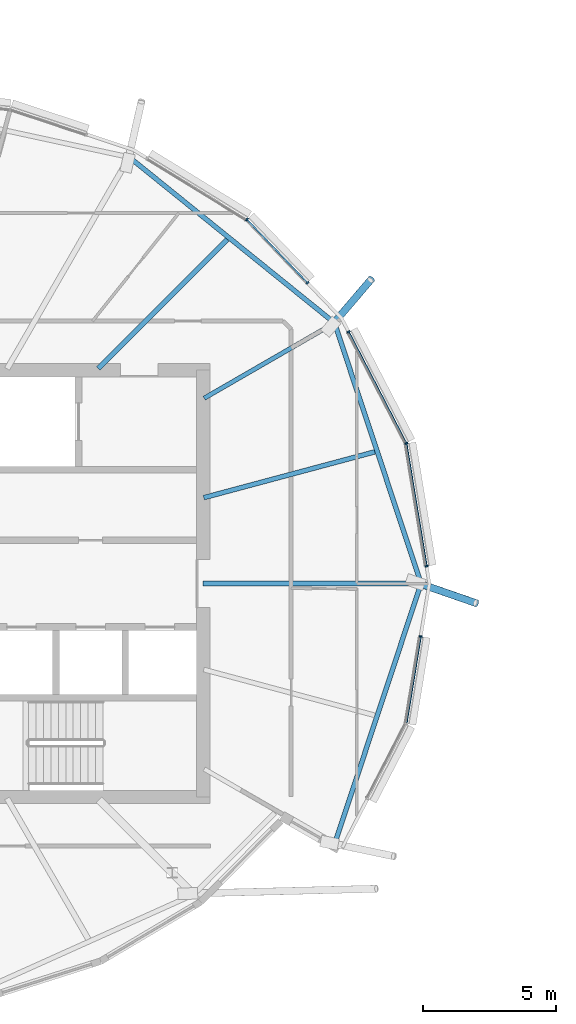
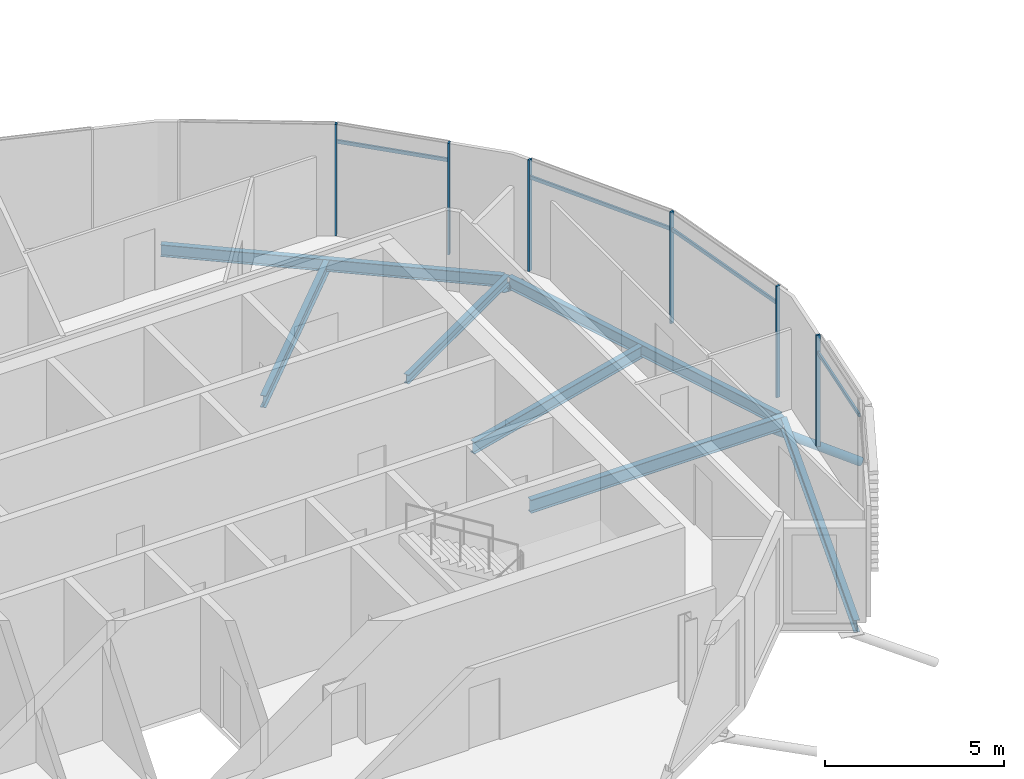
# One storey, part 7 of 33: 12 members, 7 beams, 1 element without a shape of its own.
"""IFC4 building model written with IfcOpenShell, lengths in metres."""

from ifc_helpers import new_model, si_unit, direction, frame, origin, origin_2d, place, context, subcontext, project, spatial, rectangle, hollow_circle, i_section, extrude, clip, halfspace, material, material_profile, profile_set, type_object, element, aggregate, save


model = new_model("IFC4")

# Units and contexts
model_context = context("Model", 3, precision=1e-05, world=origin(), true_north=direction((0.0, 1.0)))
body_context = subcontext(model_context, "Body", "Model", "MODEL_VIEW")
ifc_project = project(units=[si_unit("LENGTHUNIT", "METRE"), si_unit("AREAUNIT", "SQUARE_METRE"), si_unit("VOLUMEUNIT", "CUBIC_METRE"), si_unit("PLANEANGLEUNIT", "RADIAN"), si_unit("MASSUNIT", "GRAM", prefix="KILO")], contexts=[model_context])

# Site, building, storey
site_placement = place(None, origin())
site = spatial("IfcSite", under=ifc_project, at=site_placement, CompositionType="ELEMENT")
building_placement = place(site_placement, origin())
building = spatial("IfcBuilding", under=site, at=building_placement, Name="Rimbun Link Towers", CompositionType="ELEMENT")
storey_placement = place(building_placement, frame((0.0, 0.0, 237.10009765625)))
storey = spatial("IfcBuildingStorey", under=building, at=storey_placement, Name="L58", CompositionType="ELEMENT", Elevation=237.10009765625)

# Curtain wall, members
ifc_material_1 = material(Name="Aluminium 6063-T6 and low-iron glass", Category="aluminium")
curtain_wall_type = type_object("IfcCurtainWallType", Name="CW1-Z4 unitised vision wall (zone 4)", PredefinedType="NOTDEFINED", material=ifc_material_1)
curtain_wall_placement = place(storey_placement, origin())
curtain_wall = element("IfcCurtainWall", 1, at=curtain_wall_placement, inside=storey, type_object=curtain_wall_type, Name="CW1 L58 T1", PredefinedType="NOTDEFINED")
ifc_material_2 = material(Name="Aluminium 6063-T6", Category="aluminium")
ifc_material_profile_1 = material_profile(ifc_material_2, rectangle(XDim=0.1201171875, YDim=0.06005859375, at=origin_2d()), Name="MULLION 60X120")
ifc_profile_set_1 = profile_set([ifc_material_profile_1], Name="Aluminium 6063-T6")
member_type_1 = type_object("IfcMemberType", Name="CW1 mullion 60X120", PredefinedType="MULLION", material=ifc_profile_set_1)
member_1_placement = place(storey_placement, frame((-12.1298828125, 5.260986328125, 0.0), z_axis=(0.0, 0.0, 1.0), x_axis=(0.949161339918, 0.314790010651, 0.0)))
member_1 = element("IfcMember", 2, at=member_1_placement, type_object=member_type_1, Name="CW1 mullion", PredefinedType="MULLION", context=body_context, shape_type="SweptSolid", body=[
    extrude(rectangle(XDim=0.1201171875, YDim=0.06005859375, at=origin_2d()), origin(), (0.0, 0.0, 1.0), 3.7998046875),
])
member_2_placement = place(storey_placement, frame((-11.37109375, 0.651123046875, 0.0), z_axis=(0.0, 0.0, 1.0), x_axis=(0.986747736898, 0.162261836936, 0.0)))
member_2 = element("IfcMember", 3, at=member_2_placement, type_object=member_type_1, Name="CW1 mullion", PredefinedType="MULLION", context=body_context, shape_type="SweptSolid", body=[
    extrude(rectangle(XDim=0.1201171875, YDim=0.06005859375, at=origin_2d()), origin(), (0.0, 0.0, 1.0), 3.7998046875),
])
member_3_placement = place(storey_placement, frame((-14.292236328125, 9.441650390625, 0.0), z_axis=(0.0, 0.0, 1.0), x_axis=(0.888151937067, 0.459549928391, 0.0)))
member_3 = element("IfcMember", 4, at=member_3_placement, type_object=member_type_1, Name="CW1 mullion", PredefinedType="MULLION", context=body_context, shape_type="SweptSolid", body=[
    extrude(rectangle(XDim=0.1201171875, YDim=0.06005859375, at=origin_2d()), origin(), (0.0, 0.0, 1.0), 3.7998046875),
])
member_4_placement = place(storey_placement, frame((-18.10888671875, 13.650146484375, 0.0), z_axis=(0.0, 0.0, 1.0), x_axis=(0.627668219007, 0.778480961134, 0.0)))
member_4 = element("IfcMember", 5, at=member_4_placement, type_object=member_type_1, Name="CW1 mullion", PredefinedType="MULLION", context=body_context, shape_type="SweptSolid", body=[
    extrude(rectangle(XDim=0.1201171875, YDim=0.06005859375, at=origin_2d()), origin(), (0.0, 0.0, 1.0), 3.7998046875),
])
member_5_placement = place(storey_placement, frame((-15.835205078125, 11.279541015625, 0.0), z_axis=(0.0, 0.0, 1.0), x_axis=(0.721841631662, 0.692058277025, 0.0)))
member_5 = element("IfcMember", 6, at=member_5_placement, type_object=member_type_1, Name="CW1 mullion", PredefinedType="MULLION", context=body_context, shape_type="SweptSolid", body=[
    extrude(rectangle(XDim=0.1201171875, YDim=0.06005859375, at=origin_2d()), origin(), (0.0, 0.0, 1.0), 3.7998046875),
])
member_6_placement = place(storey_placement, frame((-11.590087890625, -1.983154296875, 0.0), z_axis=(0.0, 0.0, 1.0), x_axis=(0.986747736898, -0.162261836936, 0.0)))
member_6 = element("IfcMember", 7, at=member_6_placement, type_object=member_type_1, Name="CW1 mullion", PredefinedType="MULLION", context=body_context, shape_type="SweptSolid", body=[
    extrude(rectangle(XDim=0.1201171875, YDim=0.06005859375, at=origin_2d()), origin(), (0.0, 0.0, 1.0), 3.7998046875),
])
ifc_material_3 = material(Name="Aluminium 6063-T6", Category="aluminium")
ifc_material_profile_2 = material_profile(ifc_material_3, rectangle(XDim=0.06005859375, YDim=0.1201171875, at=origin_2d()), Name="TRANSOM 60X120")
ifc_profile_set_2 = profile_set([ifc_material_profile_2], Name="Aluminium 6063-T6")
member_type_2 = type_object("IfcMemberType", Name="CW1 transom 60X120", PredefinedType="USERDEFINED", material=ifc_profile_set_2)
member_7_placement = place(storey_placement, frame((-12.124755859375, 5.221923828125, 3.199951171875), z_axis=(0.162265324839, -0.986747163338, 0.0), x_axis=(0.986747163338, 0.162265324839, 0.0)))
member_7 = element("IfcMember", 8, at=member_7_placement, type_object=member_type_2, Name="CW1 transom", ObjectType="TRANSOM", PredefinedType="USERDEFINED", context=body_context, shape_type="SweptSolid", body=[
    extrude(rectangle(XDim=0.06005859375, YDim=0.1201171875, at=origin_2d()), origin(), (0.0, 0.0, 1.0), 4.6025390625),
])
member_8_placement = place(storey_placement, frame((-14.2802734375, 9.4140625, 3.199951171875), z_axis=(0.459553246669, -0.888150220107, 0.0), x_axis=(0.888150220107, 0.459553246669, 0.0)))
member_8 = element("IfcMember", 9, at=member_8_placement, type_object=member_type_2, Name="CW1 transom", ObjectType="TRANSOM", PredefinedType="USERDEFINED", context=body_context, shape_type="SweptSolid", body=[
    extrude(rectangle(XDim=0.06005859375, YDim=0.1201171875, at=origin_2d()), origin(), (0.0, 0.0, 1.0), 4.637451171875),
])
member_9_placement = place(storey_placement, frame((-18.083984375, 13.6220703125, 3.199951171875), z_axis=(0.692076755935, -0.721823914743, 0.0), x_axis=(0.721823914743, 0.692076755935, 0.0)))
member_9 = element("IfcMember", 10, at=member_9_placement, type_object=member_type_2, Name="CW1 transom", ObjectType="TRANSOM", PredefinedType="USERDEFINED", context=body_context, shape_type="SweptSolid", body=[
    extrude(rectangle(XDim=0.06005859375, YDim=0.1201171875, at=origin_2d()), origin(), (0.0, 0.0, 1.0), 3.21728515625),
])
member_10_placement = place(storey_placement, frame((-11.596923828125, -2.012451171875, 3.199951171875), z_axis=(-0.162280686546, -0.986744637064, 0.0), x_axis=(0.986744637064, -0.162280686546, 0.0)))
member_10 = element("IfcMember", 11, at=member_10_placement, type_object=member_type_2, Name="CW1 transom", ObjectType="TRANSOM", PredefinedType="USERDEFINED", context=body_context, shape_type="SweptSolid", body=[
    extrude(rectangle(XDim=0.06005859375, YDim=0.1201171875, at=origin_2d()), origin(), (0.0, 0.0, 1.0), 3.252685546875),
])
aggregate(curtain_wall, [member_1, member_2, member_3, member_4, member_5, member_6, member_7, member_8, member_9, member_10])

# Members
ifc_material_4 = material(Name="Steel S355J2H", Category="steel")
ifc_material_profile_3 = material_profile(ifc_material_4, hollow_circle(Radius=0.136474609375, WallThickness=0.012451171875, at=origin_2d()), Name="CHS 273x12.5")
ifc_profile_set_3 = profile_set([ifc_material_profile_3], Name="Steel S355J2H")
member_type_3 = type_object("IfcMemberType", Name="Floor edge link CHS 273x12.5", PredefinedType="BRACE", material=ifc_profile_set_3)
member_11_placement = place(storey_placement, frame((-11.628173828125, 0.0, -0.711181640625), z_axis=(0.817735530495, -0.283274589445, -0.501062979216), x_axis=(0.327329612987, 0.944910220318, 0.0)))
element("IfcMember", 12, at=member_11_placement, inside=storey, type_object=member_type_3, Name="Floor edge link T1 L58 00", PredefinedType="BRACE", context=body_context, shape_type="Clipping", body=[
    clip(extrude(hollow_circle(Radius=0.136474609375, WallThickness=0.012451171875, at=origin_2d()), frame((0.0, 0.0, -0.491455078125)), (0.0, 0.0, 1.0), 3.10107421875), halfspace(frame((0.0, 0.0, -0.23095703125), z_axis=(0.0, 0.865410822014, -0.501062979216)), False)),
])
member_12_placement = place(storey_placement, frame((-14.864501953125, 9.748779296875, -0.558837890625), z_axis=(0.551101312, 0.645492469093, -0.528797519147), x_axis=(-0.760523102048, 0.649310874121, 0.0)))
element("IfcMember", 13, at=member_12_placement, inside=storey, type_object=member_type_3, Name="Floor edge link T1 L58 02", PredefinedType="BRACE", context=body_context, shape_type="Clipping", body=[
    clip(extrude(hollow_circle(Radius=0.136474609375, WallThickness=0.012451171875, at=origin_2d()), frame((0.0, 0.0, -0.457275390625)), (0.0, 0.0, 1.0), 3.051513671875), halfspace(frame((0.0, 0.0, -0.21435546875), z_axis=(0.0, 0.848748009567, -0.528797519147)), False)),
])

# Beams
ifc_material_5 = material(Name="Steel S355J2", Category="steel")
ifc_material_profile_4 = material_profile(ifc_material_5, i_section(OverallWidth=0.1650390625, OverallDepth=0.303466796875, WebThickness=0.006103515625, FlangeThickness=0.01025390625, at=origin_2d()), Name="UB 305x165x40")
ifc_profile_set_4 = profile_set([ifc_material_profile_4], Name="Steel S355J2")
beam_type_1 = type_object("IfcBeamType", Name="UB 305x165x40", PredefinedType="BEAM", material=ifc_profile_set_4)
beam_1_placement = place(storey_placement, frame((-19.7080078125, 6.952392578125, -0.291748046875), z_axis=(0.866029956157, 0.499992114976, 0.0), x_axis=(-0.499992114976, 0.866029956157, 0.0)))
element("IfcBeam", 14, at=beam_1_placement, inside=storey, type_object=beam_type_1, Name="Radial beam T1 L58 02", PredefinedType="BEAM", context=body_context, shape_type="SweptSolid", body=[
    extrude(i_section(OverallWidth=0.1650390625, OverallDepth=0.303466796875, WebThickness=0.006103515625, FlangeThickness=0.01025390625, at=origin_2d()), origin(), (0.0, 0.0, 1.0), 5.642578125),
])
ifc_material_6 = material(Name="Steel S355J2", Category="steel")
ifc_material_profile_5 = material_profile(ifc_material_6, i_section(OverallWidth=0.177978515625, OverallDepth=0.406494140625, WebThickness=0.0078125, FlangeThickness=0.0126953125, at=origin_2d()), Name="UB 406x178x60")
ifc_profile_set_5 = profile_set([ifc_material_profile_5], Name="Steel S355J2")
beam_type_2 = type_object("IfcBeamType", Name="UB 406x178x60", PredefinedType="BEAM", material=ifc_profile_set_5)
beam_2_placement = place(storey_placement, frame((-19.72607421875, 3.2216796875, -0.34326171875), z_axis=(0.965919329481, 0.258843290303, 0.0), x_axis=(-0.258843290303, 0.965919329481, 0.0)))
element("IfcBeam", 15, at=beam_2_placement, inside=storey, type_object=beam_type_2, Name="Radial beam T1 L58 01", PredefinedType="BEAM", context=body_context, shape_type="SweptSolid", body=[
    extrude(i_section(OverallWidth=0.177978515625, OverallDepth=0.406494140625, WebThickness=0.0078125, FlangeThickness=0.0126953125, at=origin_2d()), origin(), (0.0, 0.0, 1.0), 6.64013671875),
])
beam_3_placement = place(storey_placement, frame((-23.686279296875, 8.063720703125, -0.34326171875), z_axis=(0.707106781187, 0.707106781187, 0.0), x_axis=(-0.707106781187, 0.707106781187, 0.0)))
element("IfcBeam", 16, at=beam_3_placement, inside=storey, type_object=beam_type_2, Name="Radial beam T1 L58 03", PredefinedType="BEAM", context=body_context, shape_type="SweptSolid", body=[
    extrude(i_section(OverallWidth=0.177978515625, OverallDepth=0.406494140625, WebThickness=0.0078125, FlangeThickness=0.0126953125, at=origin_2d()), origin(), (0.0, 0.0, 1.0), 6.84814453125),
])
beam_4_placement = place(storey_placement, frame((-11.610107421875, 0.095947265625, -0.34326171875), z_axis=(-0.314916418924, 0.949119407183, 0.0), x_axis=(-0.949119407183, -0.314916418924, 0.0)))
element("IfcBeam", 17, at=beam_4_placement, inside=storey, type_object=beam_type_2, Name="Edge beam T1 L58 00-02", PredefinedType="BEAM", context=body_context, shape_type="SweptSolid", body=[
    extrude(i_section(OverallWidth=0.177978515625, OverallDepth=0.406494140625, WebThickness=0.0078125, FlangeThickness=0.0126953125, at=origin_2d()), origin(), (0.0, 0.0, 1.0), 10.111572265625),
])
beam_5_placement = place(storey_placement, frame((-14.890869140625, 9.830078125, -0.34326171875), z_axis=(-0.778075590963, 0.628170657343, 0.0), x_axis=(-0.628170657343, -0.778075590963, 0.0)))
element("IfcBeam", 18, at=beam_5_placement, inside=storey, type_object=beam_type_2, Name="Edge beam T1 L58 02-04", PredefinedType="BEAM", context=body_context, shape_type="SweptSolid", body=[
    extrude(i_section(OverallWidth=0.177978515625, OverallDepth=0.406494140625, WebThickness=0.0078125, FlangeThickness=0.0126953125, at=origin_2d()), origin(), (0.0, 0.0, 1.0), 9.697021484375),
])
beam_6_placement = place(storey_placement, frame((-14.79443359375, -9.693115234375, -0.34326171875), z_axis=(0.314916418924, 0.949119407183, 0.0), x_axis=(-0.949119407183, 0.314916418924, 0.0)))
element("IfcBeam", 19, at=beam_6_placement, inside=storey, type_object=beam_type_2, Name="Edge beam T1 L58 22-00", PredefinedType="BEAM", context=body_context, shape_type="SweptSolid", body=[
    extrude(i_section(OverallWidth=0.177978515625, OverallDepth=0.406494140625, WebThickness=0.0078125, FlangeThickness=0.0126953125, at=origin_2d()), origin(), (0.0, 0.0, 1.0), 10.111572265625),
])
ifc_material_7 = material(Name="Steel S355J2", Category="steel")
ifc_material_profile_6 = material_profile(ifc_material_7, i_section(OverallWidth=0.18994140625, OverallDepth=0.453369140625, WebThickness=0.008544921875, FlangeThickness=0.0126953125, at=origin_2d()), Name="UB 457x191x67")
ifc_profile_set_6 = profile_set([ifc_material_profile_6], Name="Steel S355J2")
beam_type_3 = type_object("IfcBeamType", Name="UB 457x191x67", PredefinedType="BEAM", material=ifc_profile_set_6)
beam_7_placement = place(storey_placement, frame((-19.7490234375, 0.0, -0.36669921875), z_axis=(1.0, 0.0, 0.0), x_axis=(0.0, 1.0, 0.0)))
element("IfcBeam", 20, at=beam_7_placement, inside=storey, type_object=beam_type_3, Name="Radial beam T1 L58 00", PredefinedType="BEAM", context=body_context, shape_type="SweptSolid", body=[
    extrude(i_section(OverallWidth=0.18994140625, OverallDepth=0.453369140625, WebThickness=0.008544921875, FlangeThickness=0.0126953125, at=origin_2d()), origin(), (0.0, 0.0, 1.0), 8.1708984375),
])

save(model, "model.ifc")
